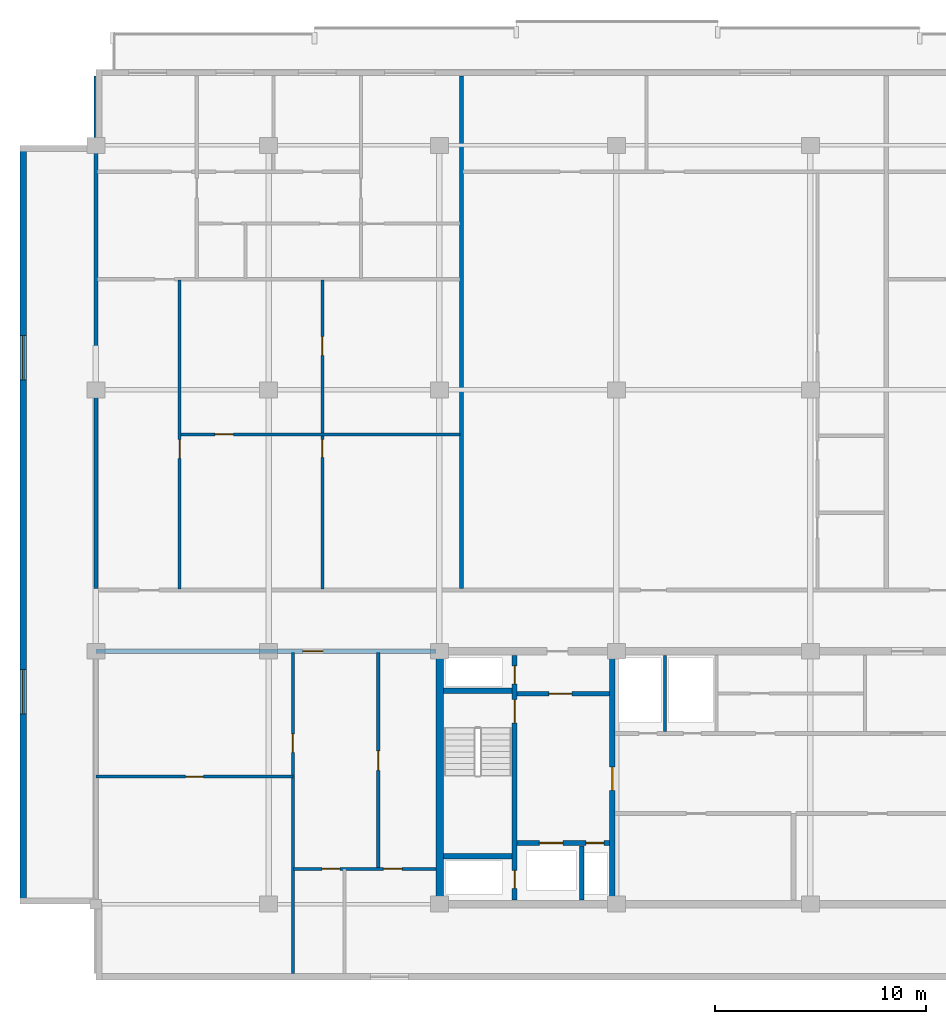
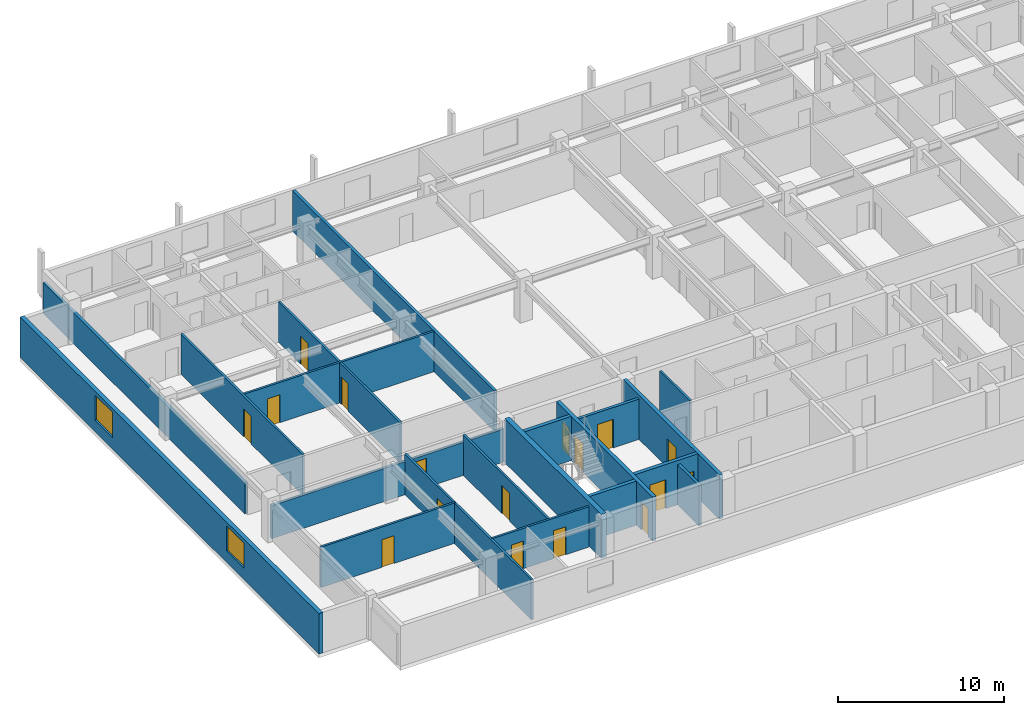
# One storey, part 3 of 10: 20 walls, 17 doors, 2 windows, 19 openings.
"""IFC4 building model written with IfcOpenShell, lengths in metres."""

import ifcopenshell
import ifcopenshell.guid

model = None  # the IFC model being written
_history = None  # IfcOwnerHistory: only IFC2X3 demands one
_inside = {}  # id of a spatial element -> (the spatial element, [elements in it])
_under = {}  # id of a project, library or spatial element -> (it, [spatial elements below it])
_declared = {}  # id of a project -> (the project, [libraries it declares])
_typed = {}  # id of a type object -> (the type object, [elements of that type])
_made_of = {}  # id of a material, layer set ... -> (it, [elements and type objects made of it])


def new_model(schema):
    """Start an empty IFC model of exactly this schema.

    Asked for "IFC4X3", IfcOpenShell would pick the latest addendum, in which some entities
    have other attributes; the version numbers below select the first issue.
    IFC2X3 requires an IfcOwnerHistory on every rooted entity: one is made here for all.
    """
    global model, _history
    if schema == "IFC4X3":
        model = ifcopenshell.file(schema_version=(4, 3, 0, 0))
    else:
        model = ifcopenshell.file(schema=schema)
    _inside.clear()
    _under.clear()
    _declared.clear()
    _typed.clear()
    _made_of.clear()
    _history = None
    if model.schema == "IFC2X3":
        org = make("IfcOrganization", Name="unknown")
        user = make(
            "IfcPersonAndOrganization",
            ThePerson=make("IfcPerson", FamilyName="unknown"),
            TheOrganization=org,
        )
        app = make(
            "IfcApplication",
            ApplicationDeveloper=org,
            Version="unknown",
            ApplicationFullName="unknown",
            ApplicationIdentifier="unknown",
        )
        _history = make(
            "IfcOwnerHistory",
            OwningUser=user,
            OwningApplication=app,
            ChangeAction="ADDED",
            CreationDate=0,
        )
    return model


def make(cls, **values):
    """One entity of the class cls with the attributes given. An attribute that is None is left unset."""
    return model.create_entity(
        cls, **{name: value for name, value in values.items() if value is not None}
    )


def rooted(cls, **values):
    """An entity with a GlobalId (a new one), such as an element, a storey or a relation."""
    return make(cls, GlobalId=ifcopenshell.guid.new(), OwnerHistory=_history, **values)


def si_unit(unit_type, name, prefix=None):
    """IfcSIUnit, for example si_unit("LENGTHUNIT", "METRE", prefix="MILLI")."""
    return make("IfcSIUnit", UnitType=unit_type, Prefix=prefix, Name=name)


def assignment(units):
    """IfcUnitAssignment: the units of a project."""
    return None if units is None else make("IfcUnitAssignment", Units=units)


def point(xyz):
    """IfcCartesianPoint."""
    return None if xyz is None else make("IfcCartesianPoint", Coordinates=xyz)


def direction(xyz):
    """IfcDirection."""
    return None if xyz is None else make("IfcDirection", DirectionRatios=xyz)


def frame(location, z_axis=None, x_axis=None):
    """IfcAxis2Placement3D, a coordinate frame: its origin and axes. An axis left out is left unset."""
    return make(
        "IfcAxis2Placement3D",
        Location=point(location),
        Axis=direction(z_axis),
        RefDirection=direction(x_axis),
    )


def frame_2d(location, x_axis=None):
    """IfcAxis2Placement2D, a coordinate frame in the plane: its origin and x axis."""
    return make(
        "IfcAxis2Placement2D", Location=point(location), RefDirection=direction(x_axis)
    )


def origin():
    """The frame at (0, 0, 0) with its axes left unset."""
    return frame((0.0, 0.0, 0.0))


def place(relative_to, where):
    """IfcLocalPlacement: puts the frame where relative to a parent placement (None: the world)."""
    return make(
        "IfcLocalPlacement", PlacementRelTo=relative_to, RelativePlacement=where
    )


def context(
    kind, dimensions, precision=None, world=None, true_north=None, identifier=None
):
    """IfcGeometricRepresentationContext, for example the 3D "Model" context."""
    return make(
        "IfcGeometricRepresentationContext",
        ContextIdentifier=identifier,
        ContextType=kind,
        CoordinateSpaceDimension=dimensions,
        Precision=precision,
        WorldCoordinateSystem=world,
        TrueNorth=true_north,
    )


def subcontext(parent, identifier, kind, view, scale=None):
    """IfcGeometricRepresentationSubContext, for example "Body" below "Model"."""
    return make(
        "IfcGeometricRepresentationSubContext",
        ContextIdentifier=identifier,
        ContextType=kind,
        ParentContext=parent,
        TargetScale=scale,
        TargetView=view,
    )


def project(units=None, contexts=None):
    """IfcProject with its units and contexts."""
    return rooted(
        "IfcProject",
        Name="project",
        RepresentationContexts=contexts,
        UnitsInContext=assignment(units),
    )


def spatial(cls, under=None, at=None, **own):
    """A site, building, storey or space (cls), placed at a placement, below another one or the project."""
    s = rooted(cls, ObjectPlacement=at, **own)
    if under is not None:
        _under.setdefault(under.id(), (under, []))[1].append(s)
    return s


def profile(cls, at=None, kind="AREA", **sizes):
    """A parametric profile (cls). Its sizes go by their IFC names, for example OverallWidth=200.0."""
    return make(cls, ProfileType=kind, Position=at, **sizes)


def rectangle(**sizes):
    """IfcRectangleProfileDef."""
    return profile("IfcRectangleProfileDef", **sizes)


def extrude(swept, where, along, depth):
    """IfcExtrudedAreaSolid: the profile swept, set in the frame where, extruded along a direction by depth."""
    return make(
        "IfcExtrudedAreaSolid",
        SweptArea=swept,
        Position=where,
        ExtrudedDirection=direction(along),
        Depth=depth,
    )


def shape(context_of_items, identifier, shape_type, items):
    """IfcShapeRepresentation: the items that make up one representation, for example the "Body"."""
    return make(
        "IfcShapeRepresentation",
        ContextOfItems=context_of_items,
        RepresentationIdentifier=identifier,
        RepresentationType=shape_type,
        Items=items,
    )


def material(Name=None, Category=None):
    """IfcMaterial."""
    return make("IfcMaterial", Name=Name, Category=Category)


def layer(
    of_material, thickness, ventilated=None, Name=None, Category=None, Priority=None
):
    """IfcMaterialLayer: one layer of a wall or slab, of a material (None: an air gap)."""
    return make(
        "IfcMaterialLayer",
        Material=of_material,
        LayerThickness=thickness,
        IsVentilated=ventilated,
        Name=Name,
        Category=Category,
        Priority=Priority,
    )


def layer_set(layers, Name=None):
    """IfcMaterialLayerSet."""
    return make("IfcMaterialLayerSet", MaterialLayers=layers, LayerSetName=Name)


def made_of(thing, what):
    """Note that an element or type object is made of a material, layer set ...; save() writes the relation."""
    if what is not None:
        _made_of.setdefault(what.id(), (what, []))[1].append(thing)
    return thing


def type_object(cls, material=None, **own):
    """A type object (cls), such as IfcWallType, which elements share."""
    return made_of(rooted(cls, **own), material)


def element(
    cls,
    number,
    at=None,
    inside=None,
    cuts=None,
    type_object=None,
    material=None,
    context=None,
    identifier="Body",
    shape_type=None,
    held_by="IfcProductDefinitionShape",
    body=None,
    shapes=None,
    **own,
):
    """One element of the class cls, such as IfcWall. Its Tag is "e" and its number.

    at: its placement. inside: the storey or other place that contains it. cuts: it is an
    opening in that element (IfcRelVoidsElement). A single representation is given by context,
    identifier, shape_type and body (its items); several are given by shapes. held_by: the class
    of the entity that holds the representations. save() writes the other relations.
    """
    e = rooted(cls, Tag="e%d" % number, ObjectPlacement=at, **own)
    if body is not None:
        shapes = [shape(context, identifier, shape_type, body)]
    if shapes is not None:
        e.Representation = make(held_by, Representations=shapes)
    if inside is not None:
        _inside.setdefault(inside.id(), (inside, []))[1].append(e)
    if cuts is not None:
        rooted(
            "IfcRelVoidsElement", RelatingBuildingElement=cuts, RelatedOpeningElement=e
        )
    if type_object is not None:
        _typed.setdefault(type_object.id(), (type_object, []))[1].append(e)
    return made_of(e, material)


def fill(opening, filler):
    """IfcRelFillsElement: the door or window that sits in an opening."""
    return rooted(
        "IfcRelFillsElement",
        RelatingOpeningElement=opening,
        RelatedBuildingElement=filler,
    )


def aggregate(whole, parts):
    """IfcRelAggregates: a whole, such as a stair, and the parts it consists of."""
    return rooted("IfcRelAggregates", RelatingObject=whole, RelatedObjects=parts)


def save(model, path):
    """Write the relations noted so far, then the file.

    IfcRelAggregates (storeys below a building ...), IfcRelContainedInSpatialStructure (elements
    in a storey), IfcRelDefinesByType, IfcRelAssociatesMaterial and IfcRelDeclares: one each for
    every whole, place, type object, material and project.
    """
    for whole, parts in _under.values():
        aggregate(whole, parts)
    for where, things in _inside.values():
        rooted(
            "IfcRelContainedInSpatialStructure",
            RelatedElements=things,
            RelatingStructure=where,
        )
    for kind, things in _typed.values():
        rooted("IfcRelDefinesByType", RelatedObjects=things, RelatingType=kind)
    for what, things in _made_of.values():
        rooted("IfcRelAssociatesMaterial", RelatedObjects=things, RelatingMaterial=what)
    for by, libraries in _declared.values():
        rooted("IfcRelDeclares", RelatingContext=by, RelatedDefinitions=libraries)
    model.write(path)


model = new_model("IFC4")

# Units and contexts
model_context = context("Model", 3, precision=1e-05, world=origin(), true_north=direction((0.0, 1.0)))
body_context = subcontext(model_context, "Body", "Model", "MODEL_VIEW")
ifc_project = project(units=[si_unit("LENGTHUNIT", "METRE"), si_unit("AREAUNIT", "SQUARE_METRE"), si_unit("VOLUMEUNIT", "CUBIC_METRE"), si_unit("PLANEANGLEUNIT", "RADIAN"), si_unit("MASSUNIT", "GRAM", prefix="KILO")], contexts=[model_context])

# Site, building, storey
site_placement = place(None, origin())
site = spatial("IfcSite", under=ifc_project, at=site_placement, CompositionType="ELEMENT")
building_placement = place(site_placement, origin())
building = spatial("IfcBuilding", under=site, at=building_placement, Name="Korimba Cascade Residences", CompositionType="ELEMENT")
storey_placement = place(building_placement, frame((0.0, 0.0, 214.10009765625)))
storey = spatial("IfcBuildingStorey", under=building, at=storey_placement, Name="L62", CompositionType="ELEMENT", Elevation=214.10009765625)

# Wall, openings, windows
ifc_material_1 = material(Name="Precast concrete C40/50", Category="concrete")
ifc_layer_1 = layer(ifc_material_1, 0.300048828125)
ifc_layer_set_1 = layer_set([ifc_layer_1], Name="Precast concrete C40/50")
wall_type_1 = type_object("IfcWallType", Name="EW-STONE-300", PredefinedType="STANDARD", material=ifc_layer_set_1)
wall_1_placement = place(storey_placement, frame((56.35009765625, 91.199951171875, 0.0), z_axis=(0.0, 0.0, 1.0), x_axis=(0.0, -1.0, 0.0)))
wall_1 = element("IfcWall", 1, at=wall_1_placement, inside=storey, type_object=wall_type_1, Name="L62 T1 Perimeter Stone Wall E09", PredefinedType="STANDARD", context=body_context, shape_type="SweptSolid", body=[
    extrude(rectangle(XDim=36.0, YDim=0.300048828125, at=frame_2d((18.0, 0.0))), origin(), (0.0, 0.0, 1.0), 2.969970703125),
])
opening_1_placement = place(wall_1_placement, frame((9.030029296875, 0.0, 0.85009765625)))
opening_1 = element("IfcOpeningElement", 2, at=opening_1_placement, cuts=wall_1, Name="Opening W-03", PredefinedType="OPENING", context=body_context, shape_type="SweptSolid", body=[
    extrude(rectangle(XDim=2.10009765625, YDim=1.85009765625, at=frame_2d((1.050048828125, 0.925048828125))), frame((0.0, 0.16015625, 0.0), z_axis=(0.0, -1.0, 0.0), x_axis=(1.0, 0.0, 0.0)), (0.0, 0.0, 1.0), 0.320068359375),
])
opening_2_placement = place(wall_1_placement, frame((24.8701171875, 0.0, 0.85009765625)))
opening_2 = element("IfcOpeningElement", 3, at=opening_2_placement, cuts=wall_1, Name="Opening W-03", PredefinedType="OPENING", context=body_context, shape_type="SweptSolid", body=[
    extrude(rectangle(XDim=2.10009765625, YDim=1.85009765625, at=frame_2d((1.050048828125, 0.925048828125))), frame((0.0, 0.16015625, 0.0), z_axis=(0.0, -1.0, 0.0), x_axis=(1.0, 0.0, 0.0)), (0.0, 0.0, 1.0), 0.320068359375),
])
ifc_material_2 = material(Name="Double-Glazed Aluminium Window", Category="aluminium")
window_type = type_object("IfcWindowType", Name="WIN-CRN-2100", PartitioningType="DOUBLE_PANEL_HORIZONTAL", PredefinedType="WINDOW", material=ifc_material_2)
window_1_placement = place(opening_1_placement, origin())
window_1 = element("IfcWindow", 4, at=window_1_placement, inside=storey, type_object=window_type, Name="L62 T1 End View Window 9.1", OverallHeight=1.85009765625, OverallWidth=2.10009765625, PartitioningType="DOUBLE_PANEL_HORIZONTAL", PredefinedType="WINDOW", context=body_context, shape_type="SweptSolid", body=[
    extrude(rectangle(XDim=2.10009765625, YDim=1.85009765625, at=frame_2d((1.050048828125, 0.925048828125))), frame((0.0, 0.030029296875, 0.0), z_axis=(0.0, -1.0, 0.0), x_axis=(1.0, 0.0, 0.0)), (0.0, 0.0, 1.0), 0.06005859375),
])
fill(opening_1, window_1)
window_2_placement = place(opening_2_placement, origin())
window_2 = element("IfcWindow", 5, at=window_2_placement, inside=storey, type_object=window_type, Name="L62 T1 End View Window 9.2", OverallHeight=1.85009765625, OverallWidth=2.10009765625, PartitioningType="DOUBLE_PANEL_HORIZONTAL", PredefinedType="WINDOW", context=body_context, shape_type="SweptSolid", body=[
    extrude(rectangle(XDim=2.10009765625, YDim=1.85009765625, at=frame_2d((1.050048828125, 0.925048828125))), frame((0.0, 0.030029296875, 0.0), z_axis=(0.0, -1.0, 0.0), x_axis=(1.0, 0.0, 0.0)), (0.0, 0.0, 1.0), 0.06005859375),
])
fill(opening_2, window_2)

# Wall
ifc_material_3 = material(Name="Concrete C65/80", Category="concrete")
ifc_layer_2 = layer(ifc_material_3, 0.35009765625)
ifc_layer_set_2 = layer_set([ifc_layer_2], Name="Concrete C65/80")
wall_type_2 = type_object("IfcWallType", Name="WAL-CORE-350", PredefinedType="SHEAR", material=ifc_layer_set_2)
wall_2_placement = place(storey_placement, frame((76.125, 55.375, 0.0), z_axis=(0.0, 0.0, 1.0), x_axis=(0.0, 1.0, 0.0)))
element("IfcWall", 6, at=wall_2_placement, inside=storey, type_object=wall_type_2, Name="L62 Core Shear Wall CW-L62-T1-W", PredefinedType="SHEAR", context=body_context, shape_type="SweptSolid", body=[
    extrude(rectangle(XDim=11.64990234375, YDim=0.35009765625, at=frame_2d((5.824951171875, 0.0))), origin(), (0.0, 0.0, 1.0), 3.25),
])

# Wall, opening, door
ifc_layer_3 = layer(ifc_material_1, 0.199951171875)
ifc_layer_set_3 = layer_set([ifc_layer_3], Name="Precast concrete C40/50")
wall_type_3 = type_object("IfcWallType", Name="WAL-IT-200", PredefinedType="PARTITIONING", material=ifc_layer_set_3)
wall_3_placement = place(storey_placement, frame((59.800048828125, 67.199951171875, 0.0), z_axis=(0.0, 0.0, 1.0), x_axis=(1.0, 0.0, 0.0)))
wall_3 = element("IfcWall", 7, at=wall_3_placement, inside=storey, type_object=wall_type_3, Name="L62 Partition Wall WAL-L62-T1-FW-N", PredefinedType="PARTITIONING", context=body_context, shape_type="SweptSolid", body=[
    extrude(rectangle(XDim=16.14990234375, YDim=0.199951171875, at=frame_2d((8.074951171875, 0.0))), origin(), (0.0, 0.0, 1.0), 2.43310546875),
])
opening_3_placement = place(wall_3_placement, frame((9.823486328125, 0.0, 0.0)))
opening_3 = element("IfcOpeningElement", 8, at=opening_3_placement, cuts=wall_3, Name="Opening D-UN1", PredefinedType="OPENING", context=body_context, shape_type="SweptSolid", body=[
    extrude(rectangle(XDim=0.949951171875, YDim=2.14990234375, at=frame_2d((0.47509765625, 1.074951171875))), frame((0.0, 0.10986328125, 0.0), z_axis=(0.0, -1.0, 0.0), x_axis=(1.0, 0.0, 0.0)), (0.0, 0.0, 1.0), 0.219970703125),
])
ifc_material_4 = material(Name="Fire-Rated Hardwood Apartment Entrance Door", Category="wood")
door_type_1 = type_object("IfcDoorType", Name="DR-FD60-950", OperationType="NOTDEFINED", PredefinedType="DOOR", material=ifc_material_4)
door_1_placement = place(opening_3_placement, origin())
door_1 = element("IfcDoor", 9, at=door_1_placement, inside=storey, type_object=door_type_1, Name="L62-T1-FW Entrance Door", OperationType="SINGLE_SWING_LEFT", OverallHeight=2.14990234375, OverallWidth=0.949951171875, PredefinedType="DOOR", context=body_context, shape_type="SweptSolid", body=[
    extrude(rectangle(XDim=0.949951171875, YDim=2.14990234375, at=frame_2d((0.47509765625, 1.074951171875))), frame((0.0, 0.02490234375, 0.0), z_axis=(0.0, -1.0, 0.0), x_axis=(1.0, 0.0, 0.0)), (0.0, 0.0, 1.0), 0.050048828125),
])
fill(opening_3, door_1)

# Walls
wall_4_placement = place(storey_placement, frame((59.800048828125, 70.179931640625, 0.0), z_axis=(0.0, 0.0, 1.0), x_axis=(0.0, 1.0, 0.0)))
element("IfcWall", 10, at=wall_4_placement, inside=storey, type_object=wall_type_3, Name="L62 Partition Wall WAL-L62-T1-BNDWL", PredefinedType="PARTITIONING", context=body_context, shape_type="SweptSolid", body=[
    extrude(rectangle(XDim=24.320068359375, YDim=0.199951171875, at=frame_2d((12.16015625, 0.0))), origin(), (0.0, 0.0, 1.0), 2.277099609375),
])
wall_5_placement = place(storey_placement, frame((77.145751953125, 70.179931640625, 0.0), z_axis=(0.0, 0.0, 1.0), x_axis=(0.0, 1.0, 0.0)))
element("IfcWall", 11, at=wall_5_placement, inside=storey, type_object=wall_type_3, Name="L62 Partition Wall WAL-L62-T1-DEM-1", PredefinedType="PARTITIONING", context=body_context, shape_type="SweptSolid", body=[
    extrude(rectangle(XDim=24.320068359375, YDim=0.199951171875, at=frame_2d((12.16015625, 0.0))), origin(), (0.0, 0.0, 1.0), 2.969970703125),
])
ifc_material_5 = material(Name="Insulated Acoustic Stud Partition", Category="gypsum")
ifc_layer_4 = layer(ifc_material_5, 0.14990234375)
ifc_layer_set_4 = layer_set([ifc_layer_4], Name="Insulated Acoustic Stud Partition")
wall_type_4 = type_object("IfcWallType", Name="WAL-PART-150", PredefinedType="PARTITIONING", material=ifc_layer_set_4)
wall_6_placement = place(storey_placement, frame((86.800048828125, 63.39990234375, 0.0), z_axis=(0.0, 0.0, 1.0), x_axis=(0.0, 1.0, 0.0)))
element("IfcWall", 12, at=wall_6_placement, inside=storey, type_object=wall_type_4, Name="L62 Partition Wall CW-L62-T1-ERDIV", PredefinedType="PARTITIONING", context=body_context, shape_type="SweptSolid", body=[
    extrude(rectangle(XDim=3.60009765625, YDim=0.14990234375, at=frame_2d((1.800048828125, 0.0))), origin(), (0.0, 0.0, 1.0), 2.969970703125),
])

# Wall, opening, door
wall_7_placement = place(storey_placement, frame((59.800048828125, 61.25, 0.0), z_axis=(0.0, 0.0, 1.0), x_axis=(1.0, 0.0, 0.0)))
wall_7 = element("IfcWall", 13, at=wall_7_placement, inside=storey, type_object=wall_type_4, Name="L62 Partition Wall WAL-L62-T1-FW-STH", PredefinedType="PARTITIONING", context=body_context, shape_type="SweptSolid", body=[
    extrude(rectangle(XDim=9.349853515625, YDim=0.14990234375, at=frame_2d((4.6748046875, 0.0))), origin(), (0.0, 0.0, 1.0), 2.969970703125),
])
opening_4_placement = place(wall_7_placement, frame((4.2548828125, 0.0, 0.0)))
opening_4 = element("IfcOpeningElement", 14, at=opening_4_placement, cuts=wall_7, Name="Opening D-BT1", PredefinedType="OPENING", context=body_context, shape_type="SweptSolid", body=[
    extrude(rectangle(XDim=0.840087890625, YDim=2.0400390625, at=frame_2d((0.419921875, 1.02001953125))), frame((0.0, 0.0849609375, 0.0), z_axis=(0.0, -1.0, 0.0), x_axis=(1.0, 0.0, 0.0)), (0.0, 0.0, 1.0), 0.169921875),
])
ifc_material_6 = material(Name="Moisture-Resistant Bathroom Timber Door", Category="wood")
door_type_2 = type_object("IfcDoorType", Name="DR-INT-850", OperationType="NOTDEFINED", PredefinedType="DOOR", material=ifc_material_6)
door_2_placement = place(opening_4_placement, origin())
door_2 = element("IfcDoor", 15, at=door_2_placement, inside=storey, type_object=door_type_2, Name="L62-T1-FW Dressing Store Door", OperationType="SINGLE_SWING_RIGHT", OverallHeight=2.0400390625, OverallWidth=0.840087890625, PredefinedType="DOOR", context=body_context, shape_type="SweptSolid", body=[
    extrude(rectangle(XDim=0.840087890625, YDim=2.0400390625, at=frame_2d((0.419921875, 1.02001953125))), frame((0.0, 0.02490234375, 0.0), z_axis=(0.0, -1.0, 0.0), x_axis=(1.0, 0.0, 0.0)), (0.0, 0.0, 1.0), 0.050048828125),
])
fill(opening_4, door_2)

wall_8_placement = place(storey_placement, frame((69.14990234375, 51.89990234375, 0.0), z_axis=(0.0, 0.0, 1.0), x_axis=(0.0, 1.0, 0.0)))
wall_8 = element("IfcWall", 16, at=wall_8_placement, inside=storey, type_object=wall_type_4, Name="L62 Partition Wall WAL-L62-T1-FW-STV", PredefinedType="PARTITIONING", context=body_context, shape_type="SweptSolid", body=[
    extrude(rectangle(XDim=15.25, YDim=0.14990234375, at=frame_2d((7.625, 0.0))), origin(), (0.0, 0.0, 1.0), 2.969970703125),
])
opening_5_placement = place(wall_8_placement, frame((10.5, 0.0, 0.0)))
opening_5 = element("IfcOpeningElement", 17, at=opening_5_placement, cuts=wall_8, Name="Opening D-IN2", PredefinedType="OPENING", context=body_context, shape_type="SweptSolid", body=[
    extrude(rectangle(XDim=0.8798828125, YDim=2.06005859375, at=frame_2d((0.43994140625, 1.030029296875))), frame((0.0, 0.0849609375, 0.0), z_axis=(0.0, -1.0, 0.0), x_axis=(1.0, 0.0, 0.0)), (0.0, 0.0, 1.0), 0.169921875),
])
ifc_material_7 = material(Name="Acoustic Timber Bedroom Door", Category="wood")
door_type_3 = type_object("IfcDoorType", Name="DR-INT-880", OperationType="NOTDEFINED", PredefinedType="DOOR", material=ifc_material_7)
door_3_placement = place(opening_5_placement, origin())
door_3 = element("IfcDoor", 18, at=door_3_placement, inside=storey, type_object=door_type_3, Name="L62-T1-FW Study Door", OperationType="SINGLE_SWING_LEFT", OverallHeight=2.06005859375, OverallWidth=0.8798828125, PredefinedType="DOOR", context=body_context, shape_type="SweptSolid", body=[
    extrude(rectangle(XDim=0.8798828125, YDim=2.06005859375, at=frame_2d((0.43994140625, 1.030029296875))), frame((0.0, 0.02490234375, 0.0), z_axis=(0.0, -1.0, 0.0), x_axis=(1.0, 0.0, 0.0)), (0.0, 0.0, 1.0), 0.050048828125),
])
fill(opening_5, door_3)

wall_9_placement = place(storey_placement, frame((73.199951171875, 56.8701171875, 0.0), z_axis=(0.0, 0.0, 1.0), x_axis=(0.0, 1.0, 0.0)))
wall_9 = element("IfcWall", 19, at=wall_9_placement, inside=storey, type_object=wall_type_4, Name="L62 Partition Wall WAL-L62-T1-FW-VN", PredefinedType="PARTITIONING", context=body_context, shape_type="SweptSolid", body=[
    extrude(rectangle(XDim=10.27978515625, YDim=0.14990234375, at=frame_2d((5.139892578125, 0.0))), origin(), (0.0, 0.0, 1.0), 2.969970703125),
])
opening_6_placement = place(wall_9_placement, frame((4.679931640625, 0.0, 0.0)))
opening_6 = element("IfcOpeningElement", 20, at=opening_6_placement, cuts=wall_9, Name="Opening D-IN1", PredefinedType="OPENING", context=body_context, shape_type="SweptSolid", body=[
    extrude(rectangle(XDim=0.919921875, YDim=2.080078125, at=frame_2d((0.4599609375, 1.0400390625))), frame((0.0, 0.0849609375, 0.0), z_axis=(0.0, -1.0, 0.0), x_axis=(1.0, 0.0, 0.0)), (0.0, 0.0, 1.0), 0.169921875),
])
ifc_material_8 = material(Name="Acoustic Timber Living Door", Category="wood")
door_type_4 = type_object("IfcDoorType", Name="DR-INT-920", OperationType="NOTDEFINED", PredefinedType="DOOR", material=ifc_material_8)
door_4_placement = place(opening_6_placement, origin())
door_4 = element("IfcDoor", 21, at=door_4_placement, inside=storey, type_object=door_type_4, Name="L62-T1-FW Living Door", OperationType="SINGLE_SWING_RIGHT", OverallHeight=2.080078125, OverallWidth=0.919921875, PredefinedType="DOOR", context=body_context, shape_type="SweptSolid", body=[
    extrude(rectangle(XDim=0.919921875, YDim=2.080078125, at=frame_2d((0.4599609375, 1.0400390625))), frame((0.0, 0.02490234375, 0.0), z_axis=(0.0, -1.0, 0.0), x_axis=(1.0, 0.0, 0.0)), (0.0, 0.0, 1.0), 0.050048828125),
])
fill(opening_6, door_4)

# Wall, openings, doors
wall_10_placement = place(storey_placement, frame((69.169921875, 56.8701171875, 0.0), z_axis=(0.0, 0.0, 1.0), x_axis=(1.0, 0.0, 0.0)))
wall_10 = element("IfcWall", 22, at=wall_10_placement, inside=storey, type_object=wall_type_4, Name="L62 Partition Wall WAL-L62-T1-FW-H", PredefinedType="PARTITIONING", context=body_context, shape_type="SweptSolid", body=[
    extrude(rectangle(XDim=6.760009765625, YDim=0.14990234375, at=frame_2d((3.3798828125, 0.0))), origin(), (0.0, 0.0, 1.0), 2.969970703125),
])
opening_7_placement = place(wall_10_placement, frame((1.3623046875, 0.0, 0.0)))
opening_7 = element("IfcOpeningElement", 23, at=opening_7_placement, cuts=wall_10, Name="Opening D-BT1", PredefinedType="OPENING", context=body_context, shape_type="SweptSolid", body=[
    extrude(rectangle(XDim=0.840087890625, YDim=2.0400390625, at=frame_2d((0.419921875, 1.02001953125))), frame((0.0, 0.0849609375, 0.0), z_axis=(0.0, -1.0, 0.0), x_axis=(1.0, 0.0, 0.0)), (0.0, 0.0, 1.0), 0.169921875),
])
opening_8_placement = place(wall_10_placement, frame((4.276611328125, 0.0, 0.0)))
opening_8 = element("IfcOpeningElement", 24, at=opening_8_placement, cuts=wall_10, Name="Opening D-IN2", PredefinedType="OPENING", context=body_context, shape_type="SweptSolid", body=[
    extrude(rectangle(XDim=0.8798828125, YDim=2.06005859375, at=frame_2d((0.43994140625, 1.030029296875))), frame((0.0, 0.0849609375, 0.0), z_axis=(0.0, -1.0, 0.0), x_axis=(1.0, 0.0, 0.0)), (0.0, 0.0, 1.0), 0.169921875),
])
door_5_placement = place(opening_7_placement, origin())
door_5 = element("IfcDoor", 25, at=door_5_placement, inside=storey, type_object=door_type_2, Name="L62-T1-FW Bathroom Door", OperationType="SINGLE_SWING_LEFT", OverallHeight=2.0400390625, OverallWidth=0.840087890625, PredefinedType="DOOR", context=body_context, shape_type="SweptSolid", body=[
    extrude(rectangle(XDim=0.840087890625, YDim=2.0400390625, at=frame_2d((0.419921875, 1.02001953125))), frame((0.0, 0.02490234375, 0.0), z_axis=(0.0, -1.0, 0.0), x_axis=(1.0, 0.0, 0.0)), (0.0, 0.0, 1.0), 0.050048828125),
])
fill(opening_7, door_5)
door_6_placement = place(opening_8_placement, origin())
door_6 = element("IfcDoor", 26, at=door_6_placement, inside=storey, type_object=door_type_3, Name="L62-T1-FW Bedroom Door", OperationType="SINGLE_SWING_RIGHT", OverallHeight=2.06005859375, OverallWidth=0.8798828125, PredefinedType="DOOR", context=body_context, shape_type="SweptSolid", body=[
    extrude(rectangle(XDim=0.8798828125, YDim=2.06005859375, at=frame_2d((0.43994140625, 1.030029296875))), frame((0.0, 0.02490234375, 0.0), z_axis=(0.0, -1.0, 0.0), x_axis=(1.0, 0.0, 0.0)), (0.0, 0.0, 1.0), 0.050048828125),
])
fill(opening_8, door_6)

wall_11_placement = place(storey_placement, frame((70.5478515625, 70.159912109375, 0.0), z_axis=(0.0, 0.0, 1.0), x_axis=(0.0, 1.0, 0.0)))
wall_11 = element("IfcWall", 27, at=wall_11_placement, inside=storey, type_object=wall_type_4, Name="L62 Partition Wall WAL-L62-T1-U01-FMV", PredefinedType="PARTITIONING", context=body_context, shape_type="SweptSolid", body=[
    extrude(rectangle(XDim=14.650146484375, YDim=0.14990234375, at=frame_2d((7.3251953125, 0.0))), origin(), (0.0, 0.0, 1.0), 2.969970703125),
])
opening_9_placement = place(wall_11_placement, frame((6.235107421875, 0.0, 0.0)))
opening_9 = element("IfcOpeningElement", 28, at=opening_9_placement, cuts=wall_11, Name="Opening D-BT1", PredefinedType="OPENING", context=body_context, shape_type="SweptSolid", body=[
    extrude(rectangle(XDim=0.840087890625, YDim=2.0400390625, at=frame_2d((0.419921875, 1.02001953125))), frame((0.0, 0.0849609375, 0.0), z_axis=(0.0, -1.0, 0.0), x_axis=(1.0, 0.0, 0.0)), (0.0, 0.0, 1.0), 0.169921875),
])
opening_10_placement = place(wall_11_placement, frame((11.08203125, 0.0, 0.0)))
opening_10 = element("IfcOpeningElement", 29, at=opening_10_placement, cuts=wall_11, Name="Opening D-IN2", PredefinedType="OPENING", context=body_context, shape_type="SweptSolid", body=[
    extrude(rectangle(XDim=0.8798828125, YDim=2.06005859375, at=frame_2d((0.43994140625, 1.030029296875))), frame((0.0, 0.0849609375, 0.0), z_axis=(0.0, -1.0, 0.0), x_axis=(1.0, 0.0, 0.0)), (0.0, 0.0, 1.0), 0.169921875),
])
door_7_placement = place(opening_9_placement, origin())
door_7 = element("IfcDoor", 30, at=door_7_placement, inside=storey, type_object=door_type_2, Name="L62-T1-U01 Wardrobe Door", OperationType="SINGLE_SWING_RIGHT", OverallHeight=2.0400390625, OverallWidth=0.840087890625, PredefinedType="DOOR", context=body_context, shape_type="SweptSolid", body=[
    extrude(rectangle(XDim=0.840087890625, YDim=2.0400390625, at=frame_2d((0.419921875, 1.02001953125))), frame((0.0, 0.02490234375, 0.0), z_axis=(0.0, -1.0, 0.0), x_axis=(1.0, 0.0, 0.0)), (0.0, 0.0, 1.0), 0.050048828125),
])
fill(opening_9, door_7)
door_8_placement = place(opening_10_placement, origin())
door_8 = element("IfcDoor", 31, at=door_8_placement, inside=storey, type_object=door_type_3, Name="L62-T1-U01 Music Lounge Door", OperationType="SINGLE_SWING_LEFT", OverallHeight=2.06005859375, OverallWidth=0.8798828125, PredefinedType="DOOR", context=body_context, shape_type="SweptSolid", body=[
    extrude(rectangle(XDim=0.8798828125, YDim=2.06005859375, at=frame_2d((0.43994140625, 1.030029296875))), frame((0.0, 0.02490234375, 0.0), z_axis=(0.0, -1.0, 0.0), x_axis=(1.0, 0.0, 0.0)), (0.0, 0.0, 1.0), 0.050048828125),
])
fill(opening_10, door_8)

# Wall, opening, door
wall_12_placement = place(storey_placement, frame((63.830078125, 77.485107421875, 0.0), z_axis=(0.0, 0.0, 1.0), x_axis=(1.0, 0.0, 0.0)))
wall_12 = element("IfcWall", 32, at=wall_12_placement, inside=storey, type_object=wall_type_4, Name="L62 Partition Wall WAL-L62-T1-U01-FMH", PredefinedType="PARTITIONING", context=body_context, shape_type="SweptSolid", body=[
    extrude(rectangle(XDim=13.235595703125, YDim=0.14990234375, at=frame_2d((6.61767578125, 0.0))), origin(), (0.0, 0.0, 1.0), 2.969970703125),
])
opening_11_placement = place(wall_12_placement, frame((1.6142578125, 0.0, 0.0)))
opening_11 = element("IfcOpeningElement", 33, at=opening_11_placement, cuts=wall_12, Name="Opening D-IN2", PredefinedType="OPENING", context=body_context, shape_type="SweptSolid", body=[
    extrude(rectangle(XDim=0.8798828125, YDim=2.06005859375, at=frame_2d((0.43994140625, 1.030029296875))), frame((0.0, 0.0849609375, 0.0), z_axis=(0.0, -1.0, 0.0), x_axis=(1.0, 0.0, 0.0)), (0.0, 0.0, 1.0), 0.169921875),
])
door_9_placement = place(opening_11_placement, origin())
door_9 = element("IfcDoor", 34, at=door_9_placement, inside=storey, type_object=door_type_3, Name="L62-T1-U01 Library Salon Door", OperationType="SINGLE_SWING_RIGHT", OverallHeight=2.06005859375, OverallWidth=0.8798828125, PredefinedType="DOOR", context=body_context, shape_type="SweptSolid", body=[
    extrude(rectangle(XDim=0.8798828125, YDim=2.06005859375, at=frame_2d((0.43994140625, 1.030029296875))), frame((0.0, 0.02490234375, 0.0), z_axis=(0.0, -1.0, 0.0), x_axis=(1.0, 0.0, 0.0)), (0.0, 0.0, 1.0), 0.050048828125),
])
fill(opening_11, door_9)

wall_13_placement = place(storey_placement, frame((63.77001953125, 70.159912109375, 0.0), z_axis=(0.0, 0.0, 1.0), x_axis=(0.0, 1.0, 0.0)))
wall_13 = element("IfcWall", 35, at=wall_13_placement, inside=storey, type_object=wall_type_4, Name="L62 Partition Wall WAL-L62-T1-U01-FV", PredefinedType="PARTITIONING", context=body_context, shape_type="SweptSolid", body=[
    extrude(rectangle(XDim=14.650146484375, YDim=0.14990234375, at=frame_2d((7.3251953125, 0.0))), origin(), (0.0, 0.0, 1.0), 2.969970703125),
])
opening_12_placement = place(wall_13_placement, frame((6.195068359375, 0.0, 0.0)))
opening_12 = element("IfcOpeningElement", 36, at=opening_12_placement, cuts=wall_13, Name="Opening D-IN2", PredefinedType="OPENING", context=body_context, shape_type="SweptSolid", body=[
    extrude(rectangle(XDim=0.8798828125, YDim=2.06005859375, at=frame_2d((0.43994140625, 1.030029296875))), frame((0.0, 0.0849609375, 0.0), z_axis=(0.0, -1.0, 0.0), x_axis=(1.0, 0.0, 0.0)), (0.0, 0.0, 1.0), 0.169921875),
])
door_10_placement = place(opening_12_placement, origin())
door_10 = element("IfcDoor", 37, at=door_10_placement, inside=storey, type_object=door_type_3, Name="L62-T1-U01 Media Lounge Door", OperationType="SINGLE_SWING_LEFT", OverallHeight=2.06005859375, OverallWidth=0.8798828125, PredefinedType="DOOR", context=body_context, shape_type="SweptSolid", body=[
    extrude(rectangle(XDim=0.8798828125, YDim=2.06005859375, at=frame_2d((0.43994140625, 1.030029296875))), frame((0.0, 0.02490234375, 0.0), z_axis=(0.0, -1.0, 0.0), x_axis=(1.0, 0.0, 0.0)), (0.0, 0.0, 1.0), 0.050048828125),
])
fill(opening_12, door_10)

# Wall
ifc_material_9 = material(Name="Concrete C40/50", Category="concrete")
ifc_layer_5 = layer(ifc_material_9, 0.199951171875)
ifc_layer_set_5 = layer_set([ifc_layer_5], Name="Concrete C40/50")
wall_type_5 = type_object("IfcWallType", Name="WAL-PART-200", PredefinedType="PARTITIONING", material=ifc_layer_set_5)
wall_14_placement = place(storey_placement, frame((82.85009765625, 55.39990234375, 0.0), z_axis=(0.0, 0.0, 1.0), x_axis=(0.0, 1.0, 0.0)))
element("IfcWall", 38, at=wall_14_placement, inside=storey, type_object=wall_type_5, Name="L62 Partition Wall CW-L62-T1-FFLDIV", PredefinedType="PARTITIONING", context=body_context, shape_type="SweptSolid", body=[
    extrude(rectangle(XDim=2.56005859375, YDim=0.199951171875, at=frame_2d((1.280029296875, 0.0))), origin(), (0.0, 0.0, 1.0), 2.969970703125),
])

# Wall, opening, door
wall_15_placement = place(storey_placement, frame((79.7900390625, 65.179931640625, 0.0), z_axis=(0.0, 0.0, 1.0), x_axis=(1.0, 0.0, 0.0)))
wall_15 = element("IfcWall", 39, at=wall_15_placement, inside=storey, type_object=wall_type_5, Name="L62 Partition Wall CW-L62-T1-FFLN", PredefinedType="PARTITIONING", context=body_context, shape_type="SweptSolid", body=[
    extrude(rectangle(XDim=4.389892578125, YDim=0.199951171875, at=frame_2d((2.19482421875, 0.0))), origin(), (0.0, 0.0, 1.0), 2.969970703125),
])
opening_13_placement = place(wall_15_placement, frame((1.5, 0.0, 0.0)))
opening_13 = element("IfcOpeningElement", 40, at=opening_13_placement, cuts=wall_15, Name="Opening D-FD1", PredefinedType="OPENING", context=body_context, shape_type="SweptSolid", body=[
    extrude(rectangle(XDim=1.10009765625, YDim=2.10009765625, at=frame_2d((0.550048828125, 1.050048828125))), frame((0.0, 0.10986328125, 0.0), z_axis=(0.0, -1.0, 0.0), x_axis=(1.0, 0.0, 0.0)), (0.0, 0.0, 1.0), 0.219970703125),
])
ifc_material_10 = material(Name="Fire-Rated Steel Core Door", Category="steel")
door_type_5 = type_object("IfcDoorType", Name="DR-FD120-1100", OperationType="NOTDEFINED", PredefinedType="DOOR", material=ifc_material_10)
door_11_placement = place(opening_13_placement, origin())
door_11 = element("IfcDoor", 41, at=door_11_placement, inside=storey, type_object=door_type_5, Name="L62 West Firefighting Lobby Door", OperationType="SINGLE_SWING_LEFT", OverallHeight=2.10009765625, OverallWidth=1.10009765625, PredefinedType="DOOR", context=body_context, shape_type="SweptSolid", body=[
    extrude(rectangle(XDim=1.10009765625, YDim=2.10009765625, at=frame_2d((0.550048828125, 1.050048828125))), frame((0.0, 0.02490234375, 0.0), z_axis=(0.0, -1.0, 0.0), x_axis=(1.0, 0.0, 0.0)), (0.0, 0.0, 1.0), 0.050048828125),
])
fill(opening_13, door_11)

# Wall, openings, doors
ifc_material_11 = material(Name="Concrete C50/60", Category="concrete")
ifc_layer_6 = layer(ifc_material_11, 0.25)
ifc_layer_set_6 = layer_set([ifc_layer_6], Name="Concrete C50/60")
wall_type_6 = type_object("IfcWallType", Name="WAL-SHAFT-250", PredefinedType="SHEAR", material=ifc_layer_set_6)
wall_16_placement = place(storey_placement, frame((79.6650390625, 55.39990234375, 0.0), z_axis=(0.0, 0.0, 1.0), x_axis=(0.0, 1.0, 0.0)))
wall_16 = element("IfcWall", 42, at=wall_16_placement, inside=storey, type_object=wall_type_6, Name="L62 Core Shear Wall CW-L62-T1-STW1E", PredefinedType="SHEAR", context=body_context, shape_type="SweptSolid", body=[
    extrude(rectangle(XDim=11.60009765625, YDim=0.25, at=frame_2d((5.800048828125, 0.0))), origin(), (0.0, 0.0, 1.0), 3.25),
])
opening_14_placement = place(wall_16_placement, frame((0.550048828125, 0.0, 0.0)))
opening_14 = element("IfcOpeningElement", 43, at=opening_14_placement, cuts=wall_16, Name="Opening D-RS1", PredefinedType="OPENING", context=body_context, shape_type="SweptSolid", body=[
    extrude(rectangle(XDim=0.85009765625, YDim=2.050048828125, at=frame_2d((0.425048828125, 1.02490234375))), frame((0.0, 0.135009765625, 0.0), z_axis=(0.0, -1.0, 0.0), x_axis=(1.0, 0.0, 0.0)), (0.0, 0.0, 1.0), 0.27001953125),
])
opening_15_placement = place(wall_16_placement, frame((8.39990234375, 0.0, 0.0)))
opening_15 = element("IfcOpeningElement", 44, at=opening_15_placement, cuts=wall_16, Name="Opening D-FD1", PredefinedType="OPENING", context=body_context, shape_type="SweptSolid", body=[
    extrude(rectangle(XDim=1.10009765625, YDim=2.10009765625, at=frame_2d((0.550048828125, 1.050048828125))), frame((0.0, 0.135009765625, 0.0), z_axis=(0.0, -1.0, 0.0), x_axis=(1.0, 0.0, 0.0)), (0.0, 0.0, 1.0), 0.27001953125),
])
opening_16_placement = place(wall_16_placement, frame((10.25, 0.0, 0.0)))
opening_16 = element("IfcOpeningElement", 45, at=opening_16_placement, cuts=wall_16, Name="Opening D-RS1", PredefinedType="OPENING", context=body_context, shape_type="SweptSolid", body=[
    extrude(rectangle(XDim=0.85009765625, YDim=2.050048828125, at=frame_2d((0.425048828125, 1.02490234375))), frame((0.0, 0.135009765625, 0.0), z_axis=(0.0, -1.0, 0.0), x_axis=(1.0, 0.0, 0.0)), (0.0, 0.0, 1.0), 0.27001953125),
])
door_12_placement = place(opening_15_placement, origin())
door_12 = element("IfcDoor", 46, at=door_12_placement, inside=storey, type_object=door_type_5, Name="L62 Fire Stair ST-W1 Door", OperationType="SINGLE_SWING_RIGHT", OverallHeight=2.10009765625, OverallWidth=1.10009765625, PredefinedType="DOOR", context=body_context, shape_type="SweptSolid", body=[
    extrude(rectangle(XDim=1.10009765625, YDim=2.10009765625, at=frame_2d((0.550048828125, 1.050048828125))), frame((0.0, 0.02490234375, 0.0), z_axis=(0.0, -1.0, 0.0), x_axis=(1.0, 0.0, 0.0)), (0.0, 0.0, 1.0), 0.050048828125),
])
fill(opening_15, door_12)
ifc_material_12 = material(Name="Fire-Rated Steel Riser Access Door", Category="steel")
door_type_6 = type_object("IfcDoorType", Name="DR-FD60-850", OperationType="NOTDEFINED", PredefinedType="DOOR", material=ifc_material_12)
door_13_placement = place(opening_14_placement, origin())
door_13 = element("IfcDoor", 47, at=door_13_placement, inside=storey, type_object=door_type_6, Name="L62 Smoke Riser Access Door", OperationType="SINGLE_SWING_LEFT", OverallHeight=2.050048828125, OverallWidth=0.85009765625, PredefinedType="DOOR", context=body_context, shape_type="SweptSolid", body=[
    extrude(rectangle(XDim=0.85009765625, YDim=2.050048828125, at=frame_2d((0.425048828125, 1.02490234375))), frame((0.0, 0.02490234375, 0.0), z_axis=(0.0, -1.0, 0.0), x_axis=(1.0, 0.0, 0.0)), (0.0, 0.0, 1.0), 0.050048828125),
])
fill(opening_14, door_13)
door_14_placement = place(opening_16_placement, origin())
door_14 = element("IfcDoor", 48, at=door_14_placement, inside=storey, type_object=door_type_6, Name="L62 Hydrant Riser Access Door", OperationType="SINGLE_SWING_LEFT", OverallHeight=2.050048828125, OverallWidth=0.85009765625, PredefinedType="DOOR", context=body_context, shape_type="SweptSolid", body=[
    extrude(rectangle(XDim=0.85009765625, YDim=2.050048828125, at=frame_2d((0.425048828125, 1.02490234375))), frame((0.0, 0.02490234375, 0.0), z_axis=(0.0, -1.0, 0.0), x_axis=(1.0, 0.0, 0.0)), (0.0, 0.0, 1.0), 0.050048828125),
])
fill(opening_16, door_14)

# Walls
for number, where, z_axis, x_axis, name in (
    (49, (76.300048828125, 57.47509765625, 0.0), (0.0, 0.0, 1.0), (1.0, 0.0, 0.0), "L62 Core Shear Wall CW-L62-T1-STW1S"),
    (50, (76.300048828125, 65.324951171875, 0.0), (0.0, 0.0, 1.0), (1.0, 0.0, 0.0), "L62 Core Shear Wall CW-L62-T1-STW1N"),
):
    element("IfcWall", number, at=place(storey_placement, frame(where, z_axis=z_axis, x_axis=x_axis)), inside=storey, type_object=wall_type_6, Name=name, PredefinedType="SHEAR", context=body_context, shape_type="SweptSolid", body=[
        extrude(rectangle(XDim=3.239990234375, YDim=0.25, at=frame_2d((1.6201171875, 0.0))), origin(), (0.0, 0.0, 1.0), 3.25),
    ])

# Wall, openings, doors
wall_17_placement = place(storey_placement, frame((79.7900390625, 58.10009765625, 0.0), z_axis=(0.0, 0.0, 1.0), x_axis=(1.0, 0.0, 0.0)))
wall_17 = element("IfcWall", 51, at=wall_17_placement, inside=storey, type_object=wall_type_6, Name="L62 Core Shear Wall CW-L62-T1-FFLS", PredefinedType="SHEAR", context=body_context, shape_type="SweptSolid", body=[
    extrude(rectangle(XDim=4.389892578125, YDim=0.25, at=frame_2d((2.19482421875, 0.0))), origin(), (0.0, 0.0, 1.0), 3.25),
])
opening_17_placement = place(wall_17_placement, frame((1.050048828125, 0.0, 0.0)))
opening_17 = element("IfcOpeningElement", 52, at=opening_17_placement, cuts=wall_17, Name="Opening LD-01", PredefinedType="OPENING", context=body_context, shape_type="SweptSolid", body=[
    extrude(rectangle(XDim=1.1201171875, YDim=2.1201171875, at=frame_2d((0.56005859375, 1.06005859375))), frame((0.0, 0.135009765625, 0.0), z_axis=(0.0, -1.0, 0.0), x_axis=(1.0, 0.0, 0.0)), (0.0, 0.0, 1.0), 0.27001953125),
])
opening_18_placement = place(wall_17_placement, frame((3.260009765625, 0.0, 0.0)))
opening_18 = element("IfcOpeningElement", 53, at=opening_18_placement, cuts=wall_17, Name="Opening D-RS1", PredefinedType="OPENING", context=body_context, shape_type="SweptSolid", body=[
    extrude(rectangle(XDim=0.85009765625, YDim=2.050048828125, at=frame_2d((0.425048828125, 1.02490234375))), frame((0.0, 0.135009765625, 0.0), z_axis=(0.0, -1.0, 0.0), x_axis=(1.0, 0.0, 0.0)), (0.0, 0.0, 1.0), 0.27001953125),
])
door_15_placement = place(opening_18_placement, origin())
door_15 = element("IfcDoor", 54, at=door_15_placement, inside=storey, type_object=door_type_6, Name="L62 Pressurisation Riser Door", OperationType="SINGLE_SWING_RIGHT", OverallHeight=2.050048828125, OverallWidth=0.85009765625, PredefinedType="DOOR", context=body_context, shape_type="SweptSolid", body=[
    extrude(rectangle(XDim=0.85009765625, YDim=2.050048828125, at=frame_2d((0.425048828125, 1.02490234375))), frame((0.0, 0.02490234375, 0.0), z_axis=(0.0, -1.0, 0.0), x_axis=(1.0, 0.0, 0.0)), (0.0, 0.0, 1.0), 0.050048828125),
])
fill(opening_18, door_15)
ifc_material_13 = material(Name="Stainless Steel Lift Landing Sliding Door", Category="steel")
door_type_7 = type_object("IfcDoorType", Name="DR-LIFT-1100", OperationType="NOTDEFINED", PredefinedType="DOOR", material=ifc_material_13)
door_16_placement = place(opening_17_placement, origin())
door_16 = element("IfcDoor", 55, at=door_16_placement, inside=storey, type_object=door_type_7, Name="L62 Firefighting Lift Landing Door FFL-W1", OperationType="SLIDING_TO_LEFT", OverallHeight=2.1201171875, OverallWidth=1.1201171875, PredefinedType="DOOR", context=body_context, shape_type="SweptSolid", body=[
    extrude(rectangle(XDim=1.1201171875, YDim=2.1201171875, at=frame_2d((0.56005859375, 1.06005859375))), frame((0.0, 0.02490234375, 0.0), z_axis=(0.0, -1.0, 0.0), x_axis=(1.0, 0.0, 0.0)), (0.0, 0.0, 1.0), 0.050048828125),
])
fill(opening_17, door_16)

# Wall, opening, door
wall_18_placement = place(storey_placement, frame((84.300048828125, 55.39990234375, 0.0), z_axis=(0.0, 0.0, 1.0), x_axis=(0.0, 1.0, 0.0)))
wall_18 = element("IfcWall", 56, at=wall_18_placement, inside=storey, type_object=wall_type_6, Name="L62 Core Shear Wall CW-L62-T1-FFLE", PredefinedType="SHEAR", context=body_context, shape_type="SweptSolid", body=[
    extrude(rectangle(XDim=11.60009765625, YDim=0.25, at=frame_2d((5.800048828125, 0.0))), origin(), (0.0, 0.0, 1.0), 3.25),
])
opening_19_placement = place(wall_18_placement, frame((5.199951171875, 0.0, 0.0)))
opening_19 = element("IfcOpeningElement", 57, at=opening_19_placement, cuts=wall_18, Name="Opening D-FD1", PredefinedType="OPENING", context=body_context, shape_type="SweptSolid", body=[
    extrude(rectangle(XDim=1.10009765625, YDim=2.10009765625, at=frame_2d((0.550048828125, 1.050048828125))), frame((0.0, 0.135009765625, 0.0), z_axis=(0.0, -1.0, 0.0), x_axis=(1.0, 0.0, 0.0)), (0.0, 0.0, 1.0), 0.27001953125),
])
door_17_placement = place(opening_19_placement, origin())
door_17 = element("IfcDoor", 58, at=door_17_placement, inside=storey, type_object=door_type_5, Name="L62 Firefighting Lobby to Lift Lobby Door", OperationType="SINGLE_SWING_RIGHT", OverallHeight=2.10009765625, OverallWidth=1.10009765625, PredefinedType="DOOR", context=body_context, shape_type="SweptSolid", body=[
    extrude(rectangle(XDim=1.10009765625, YDim=2.10009765625, at=frame_2d((0.550048828125, 1.050048828125))), frame((0.0, 0.02490234375, 0.0), z_axis=(0.0, -1.0, 0.0), x_axis=(1.0, 0.0, 0.0)), (0.0, 0.0, 1.0), 0.050048828125),
])
fill(opening_19, door_17)

save(model, "model.ifc")
